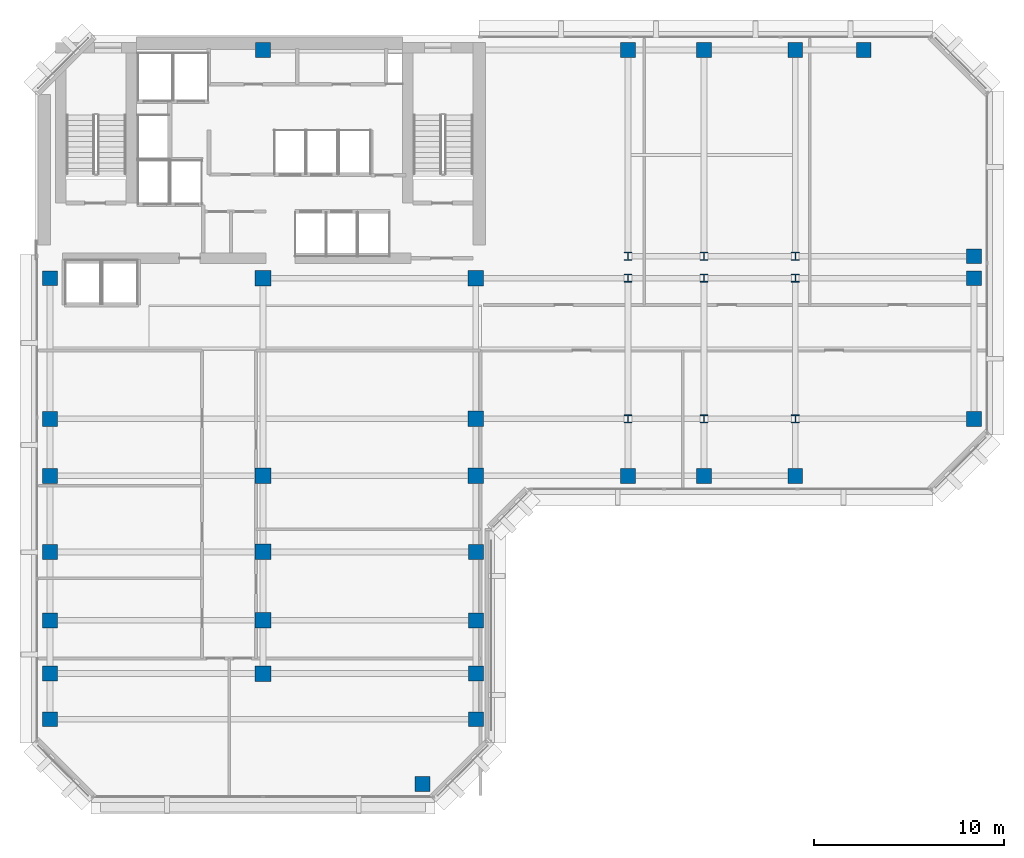
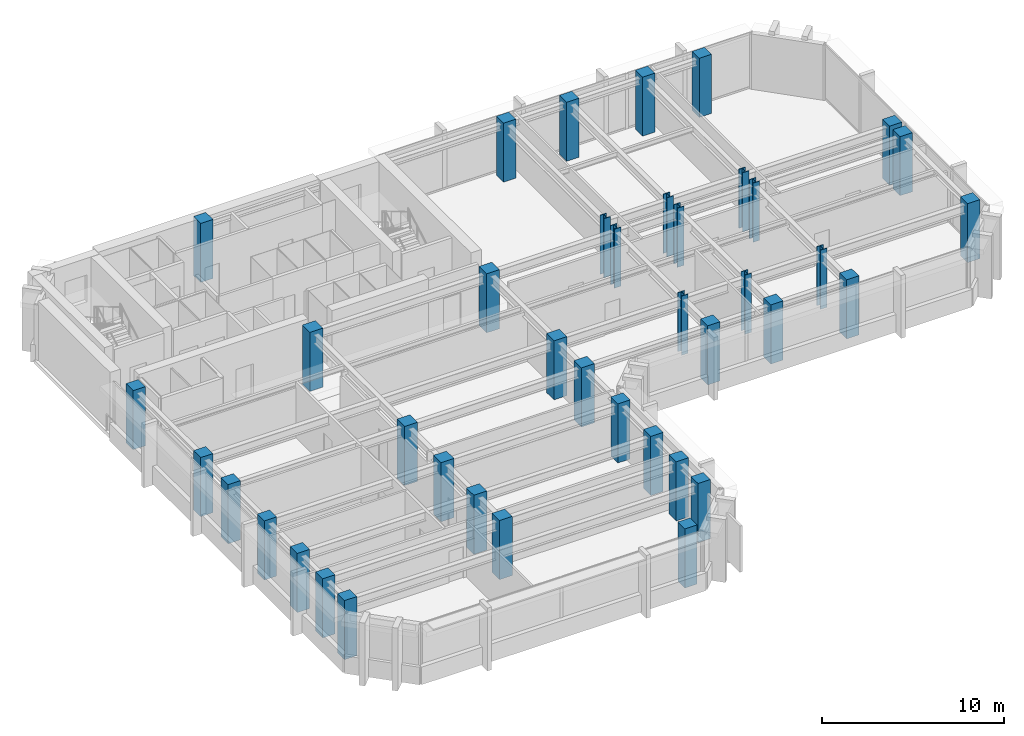
# One storey, part 1 of 12: 40 columns.
"""IFC4 building model written with IfcOpenShell, lengths in metres."""

import ifcopenshell
import ifcopenshell.guid

model = None  # the IFC model being written
_history = None  # IfcOwnerHistory: only IFC2X3 demands one
_inside = {}  # id of a spatial element -> (the spatial element, [elements in it])
_under = {}  # id of a project, library or spatial element -> (it, [spatial elements below it])
_declared = {}  # id of a project -> (the project, [libraries it declares])
_typed = {}  # id of a type object -> (the type object, [elements of that type])
_made_of = {}  # id of a material, layer set ... -> (it, [elements and type objects made of it])


def new_model(schema):
    """Start an empty IFC model of exactly this schema.

    Asked for "IFC4X3", IfcOpenShell would pick the latest addendum, in which some entities
    have other attributes; the version numbers below select the first issue.
    IFC2X3 requires an IfcOwnerHistory on every rooted entity: one is made here for all.
    """
    global model, _history
    if schema == "IFC4X3":
        model = ifcopenshell.file(schema_version=(4, 3, 0, 0))
    else:
        model = ifcopenshell.file(schema=schema)
    _inside.clear()
    _under.clear()
    _declared.clear()
    _typed.clear()
    _made_of.clear()
    _history = None
    if model.schema == "IFC2X3":
        org = make("IfcOrganization", Name="unknown")
        user = make(
            "IfcPersonAndOrganization",
            ThePerson=make("IfcPerson", FamilyName="unknown"),
            TheOrganization=org,
        )
        app = make(
            "IfcApplication",
            ApplicationDeveloper=org,
            Version="unknown",
            ApplicationFullName="unknown",
            ApplicationIdentifier="unknown",
        )
        _history = make(
            "IfcOwnerHistory",
            OwningUser=user,
            OwningApplication=app,
            ChangeAction="ADDED",
            CreationDate=0,
        )
    return model


def make(cls, **values):
    """One entity of the class cls with the attributes given. An attribute that is None is left unset."""
    return model.create_entity(
        cls, **{name: value for name, value in values.items() if value is not None}
    )


def rooted(cls, **values):
    """An entity with a GlobalId (a new one), such as an element, a storey or a relation."""
    return make(cls, GlobalId=ifcopenshell.guid.new(), OwnerHistory=_history, **values)


def si_unit(unit_type, name, prefix=None):
    """IfcSIUnit, for example si_unit("LENGTHUNIT", "METRE", prefix="MILLI")."""
    return make("IfcSIUnit", UnitType=unit_type, Prefix=prefix, Name=name)


def assignment(units):
    """IfcUnitAssignment: the units of a project."""
    return None if units is None else make("IfcUnitAssignment", Units=units)


def point(xyz):
    """IfcCartesianPoint."""
    return None if xyz is None else make("IfcCartesianPoint", Coordinates=xyz)


def direction(xyz):
    """IfcDirection."""
    return None if xyz is None else make("IfcDirection", DirectionRatios=xyz)


def frame(location, z_axis=None, x_axis=None):
    """IfcAxis2Placement3D, a coordinate frame: its origin and axes. An axis left out is left unset."""
    return make(
        "IfcAxis2Placement3D",
        Location=point(location),
        Axis=direction(z_axis),
        RefDirection=direction(x_axis),
    )


def frame_2d(location, x_axis=None):
    """IfcAxis2Placement2D, a coordinate frame in the plane: its origin and x axis."""
    return make(
        "IfcAxis2Placement2D", Location=point(location), RefDirection=direction(x_axis)
    )


def origin():
    """The frame at (0, 0, 0) with its axes left unset."""
    return frame((0.0, 0.0, 0.0))


def origin_2d():
    """The frame at (0, 0) in the plane with its x axis left unset."""
    return frame_2d((0.0, 0.0))


def place(relative_to, where):
    """IfcLocalPlacement: puts the frame where relative to a parent placement (None: the world)."""
    return make(
        "IfcLocalPlacement", PlacementRelTo=relative_to, RelativePlacement=where
    )


def context(
    kind, dimensions, precision=None, world=None, true_north=None, identifier=None
):
    """IfcGeometricRepresentationContext, for example the 3D "Model" context."""
    return make(
        "IfcGeometricRepresentationContext",
        ContextIdentifier=identifier,
        ContextType=kind,
        CoordinateSpaceDimension=dimensions,
        Precision=precision,
        WorldCoordinateSystem=world,
        TrueNorth=true_north,
    )


def subcontext(parent, identifier, kind, view, scale=None):
    """IfcGeometricRepresentationSubContext, for example "Body" below "Model"."""
    return make(
        "IfcGeometricRepresentationSubContext",
        ContextIdentifier=identifier,
        ContextType=kind,
        ParentContext=parent,
        TargetScale=scale,
        TargetView=view,
    )


def project(units=None, contexts=None):
    """IfcProject with its units and contexts."""
    return rooted(
        "IfcProject",
        Name="project",
        RepresentationContexts=contexts,
        UnitsInContext=assignment(units),
    )


def spatial(cls, under=None, at=None, **own):
    """A site, building, storey or space (cls), placed at a placement, below another one or the project."""
    s = rooted(cls, ObjectPlacement=at, **own)
    if under is not None:
        _under.setdefault(under.id(), (under, []))[1].append(s)
    return s


def profile(cls, at=None, kind="AREA", **sizes):
    """A parametric profile (cls). Its sizes go by their IFC names, for example OverallWidth=200.0."""
    return make(cls, ProfileType=kind, Position=at, **sizes)


def rectangle(**sizes):
    """IfcRectangleProfileDef."""
    return profile("IfcRectangleProfileDef", **sizes)


def i_section(**sizes):
    """IfcIShapeProfileDef."""
    return profile("IfcIShapeProfileDef", **sizes)


def extrude(swept, where, along, depth):
    """IfcExtrudedAreaSolid: the profile swept, set in the frame where, extruded along a direction by depth."""
    return make(
        "IfcExtrudedAreaSolid",
        SweptArea=swept,
        Position=where,
        ExtrudedDirection=direction(along),
        Depth=depth,
    )


def shape(context_of_items, identifier, shape_type, items):
    """IfcShapeRepresentation: the items that make up one representation, for example the "Body"."""
    return make(
        "IfcShapeRepresentation",
        ContextOfItems=context_of_items,
        RepresentationIdentifier=identifier,
        RepresentationType=shape_type,
        Items=items,
    )


def material(Name=None, Category=None):
    """IfcMaterial."""
    return make("IfcMaterial", Name=Name, Category=Category)


def material_profile(
    of_material, cross_section, Name=None, Category=None, Priority=None
):
    """IfcMaterialProfile: a cross section and its material."""
    return make(
        "IfcMaterialProfile",
        Name=Name,
        Material=of_material,
        Profile=cross_section,
        Priority=Priority,
        Category=Category,
    )


def profile_set(profiles, Name=None, composite=None):
    """IfcMaterialProfileSet."""
    return make(
        "IfcMaterialProfileSet",
        Name=Name,
        MaterialProfiles=profiles,
        CompositeProfile=composite,
    )


def made_of(thing, what):
    """Note that an element or type object is made of a material, layer set ...; save() writes the relation."""
    if what is not None:
        _made_of.setdefault(what.id(), (what, []))[1].append(thing)
    return thing


def type_object(cls, material=None, **own):
    """A type object (cls), such as IfcWallType, which elements share."""
    return made_of(rooted(cls, **own), material)


def element(
    cls,
    number,
    at=None,
    inside=None,
    cuts=None,
    type_object=None,
    material=None,
    context=None,
    identifier="Body",
    shape_type=None,
    held_by="IfcProductDefinitionShape",
    body=None,
    shapes=None,
    **own,
):
    """One element of the class cls, such as IfcWall. Its Tag is "e" and its number.

    at: its placement. inside: the storey or other place that contains it. cuts: it is an
    opening in that element (IfcRelVoidsElement). A single representation is given by context,
    identifier, shape_type and body (its items); several are given by shapes. held_by: the class
    of the entity that holds the representations. save() writes the other relations.
    """
    e = rooted(cls, Tag="e%d" % number, ObjectPlacement=at, **own)
    if body is not None:
        shapes = [shape(context, identifier, shape_type, body)]
    if shapes is not None:
        e.Representation = make(held_by, Representations=shapes)
    if inside is not None:
        _inside.setdefault(inside.id(), (inside, []))[1].append(e)
    if cuts is not None:
        rooted(
            "IfcRelVoidsElement", RelatingBuildingElement=cuts, RelatedOpeningElement=e
        )
    if type_object is not None:
        _typed.setdefault(type_object.id(), (type_object, []))[1].append(e)
    return made_of(e, material)


def aggregate(whole, parts):
    """IfcRelAggregates: a whole, such as a stair, and the parts it consists of."""
    return rooted("IfcRelAggregates", RelatingObject=whole, RelatedObjects=parts)


def save(model, path):
    """Write the relations noted so far, then the file.

    IfcRelAggregates (storeys below a building ...), IfcRelContainedInSpatialStructure (elements
    in a storey), IfcRelDefinesByType, IfcRelAssociatesMaterial and IfcRelDeclares: one each for
    every whole, place, type object, material and project.
    """
    for whole, parts in _under.values():
        aggregate(whole, parts)
    for where, things in _inside.values():
        rooted(
            "IfcRelContainedInSpatialStructure",
            RelatedElements=things,
            RelatingStructure=where,
        )
    for kind, things in _typed.values():
        rooted("IfcRelDefinesByType", RelatedObjects=things, RelatingType=kind)
    for what, things in _made_of.values():
        rooted("IfcRelAssociatesMaterial", RelatedObjects=things, RelatingMaterial=what)
    for by, libraries in _declared.values():
        rooted("IfcRelDeclares", RelatingContext=by, RelatedDefinitions=libraries)
    model.write(path)


model = new_model("IFC4")

# Units and contexts
model_context = context("Model", 3, precision=1e-05, world=origin(), true_north=direction((0.0, 1.0)))
body_context = subcontext(model_context, "Body", "Model", "MODEL_VIEW")
ifc_project = project(units=[si_unit("LENGTHUNIT", "METRE"), si_unit("AREAUNIT", "SQUARE_METRE"), si_unit("VOLUMEUNIT", "CUBIC_METRE"), si_unit("PLANEANGLEUNIT", "RADIAN"), si_unit("MASSUNIT", "GRAM", prefix="KILO")], contexts=[model_context])

# Site, building, storey
site_placement = place(None, origin())
site = spatial("IfcSite", under=ifc_project, at=site_placement, CompositionType="ELEMENT")
building_placement = place(site_placement, origin())
building = spatial("IfcBuilding", under=site, at=building_placement, Name="Kefirva Bronze Tower", CompositionType="ELEMENT")
storey_placement = place(building_placement, frame((0.0, 0.0, 207.239990234375)))
storey = spatial("IfcBuildingStorey", under=building, at=storey_placement, Name="L50", CompositionType="ELEMENT", Elevation=207.239990234375)

# Columns
ifc_material_1 = material(Name="Concrete C50/60", Category="concrete")
ifc_material_profile_1 = material_profile(ifc_material_1, rectangle(XDim=0.780029296875, YDim=0.780029296875, at=origin_2d()), Name="RC 780x780")
ifc_profile_set_1 = profile_set([ifc_material_profile_1], Name="Concrete C50/60")
column_type_1 = type_object("IfcColumnType", Name="RC Column 780x780 Ext", PredefinedType="COLUMN", material=ifc_profile_set_1)
for number, where, z_axis, x_axis, name in (
    (1, (0.800048828125, 10.0, 0.0), (0.0, 0.0, 1.0), (1.0, 0.0, 0.0), "L50 Column C008_100"),
    (2, (0.800048828125, 12.39990234375, 0.0), (0.0, 0.0, 1.0), (1.0, 0.0, 0.0), "L50 Column C008_124"),
    (3, (0.800048828125, 15.199951171875, 0.0), (0.0, 0.0, 1.0), (1.0, 0.0, 0.0), "L50 Column C008_152"),
    (4, (0.800048828125, 18.800048828125, 0.0), (0.0, 0.0, 1.0), (1.0, 0.0, 0.0), "L50 Column C008_188"),
    (5, (0.800048828125, 22.800048828125, 0.0), (0.0, 0.0, 1.0), (1.0, 0.0, 0.0), "L50 Column C008_228"),
    (6, (0.800048828125, 25.800048828125, 0.0), (0.0, 0.0, 1.0), (1.0, 0.0, 0.0), "L50 Column C008_258"),
    (7, (0.800048828125, 33.199951171875, 0.0), (0.0, 0.0, 1.0), (1.0, 0.0, 0.0), "L50 Column C008_332"),
    (8, (12.0, 45.199951171875, 0.0), (0.0, 0.0, 1.0), (1.0, 0.0, 0.0), "L50 Column C120_452"),
    (9, (20.39990234375, 6.60009765625, 0.0), (0.0, 0.0, 1.0), (1.0, 0.0, 0.0), "L50 Column C204_066"),
    (10, (23.199951171875, 10.0, 0.0), (0.0, 0.0, 1.0), (1.0, 0.0, 0.0), "L50 Column C232_100"),
    (11, (23.199951171875, 12.39990234375, 0.0), (0.0, 0.0, 1.0), (1.0, 0.0, 0.0), "L50 Column C232_124"),
    (12, (23.199951171875, 15.199951171875, 0.0), (0.0, 0.0, 1.0), (1.0, 0.0, 0.0), "L50 Column C232_152"),
    (13, (23.199951171875, 18.800048828125, 0.0), (0.0, 0.0, 1.0), (1.0, 0.0, 0.0), "L50 Column C232_188"),
    (14, (31.199951171875, 22.800048828125, 0.0), (0.0, 0.0, 1.0), (1.0, 0.0, 0.0), "L50 Column C312_228"),
    (15, (31.199951171875, 45.199951171875, 0.0), (0.0, 0.0, 1.0), (1.0, 0.0, 0.0), "L50 Column C312_452"),
    (16, (35.199951171875, 22.800048828125, 0.0), (0.0, 0.0, 1.0), (1.0, 0.0, 0.0), "L50 Column C352_228"),
    (17, (35.199951171875, 45.199951171875, 0.0), (0.0, 0.0, 1.0), (1.0, 0.0, 0.0), "L50 Column C352_452"),
    (18, (40.0, 22.800048828125, 0.0), (0.0, 0.0, 1.0), (1.0, 0.0, 0.0), "L50 Column C400_228"),
    (19, (40.0, 45.199951171875, 0.0), (0.0, 0.0, 1.0), (1.0, 0.0, 0.0), "L50 Column C400_452"),
    (20, (43.60009765625, 45.199951171875, 0.0), (0.0, 0.0, 1.0), (1.0, 0.0, 0.0), "L50 Column C436_452"),
    (21, (49.39990234375, 25.800048828125, 0.0), (0.0, 0.0, 1.0), (1.0, 0.0, 0.0), "L50 Column C494_258"),
    (22, (49.39990234375, 33.199951171875, 0.0), (0.0, 0.0, 1.0), (1.0, 0.0, 0.0), "L50 Column C494_332"),
    (23, (49.39990234375, 34.35009765625, 0.0), (0.0, 0.0, 1.0), (1.0, 0.0, 0.0), "L50 Column C494_344"),
):
    element("IfcColumn", number, at=place(storey_placement, frame(where, z_axis=z_axis, x_axis=x_axis)), inside=storey, type_object=column_type_1, Name=name, PredefinedType="COLUMN", context=body_context, shape_type="SweptSolid", body=[
        extrude(rectangle(XDim=0.780029296875, YDim=0.780029296875, at=origin_2d()), origin(), (0.0, 0.0, 1.0), 3.9599609375),
    ])
ifc_material_profile_2 = material_profile(ifc_material_1, rectangle(XDim=0.820068359375, YDim=0.820068359375, at=origin_2d()), Name="RC 820x820")
ifc_profile_set_2 = profile_set([ifc_material_profile_2], Name="Concrete C50/60")
column_type_2 = type_object("IfcColumnType", Name="RC Column 820x820 Int", PredefinedType="COLUMN", material=ifc_profile_set_2)
for number, where, z_axis, x_axis, name in (
    (24, (12.0, 12.39990234375, 0.0), (0.0, 0.0, 1.0), (1.0, 0.0, 0.0), "L50 Column C120_124"),
    (25, (12.0, 15.199951171875, 0.0), (0.0, 0.0, 1.0), (1.0, 0.0, 0.0), "L50 Column C120_152"),
    (26, (12.0, 18.800048828125, 0.0), (0.0, 0.0, 1.0), (1.0, 0.0, 0.0), "L50 Column C120_188"),
    (27, (12.0, 22.800048828125, 0.0), (0.0, 0.0, 1.0), (1.0, 0.0, 0.0), "L50 Column C120_228"),
    (28, (12.0, 33.199951171875, 0.0), (0.0, 0.0, 1.0), (1.0, 0.0, 0.0), "L50 Column C120_332"),
    (29, (23.199951171875, 22.800048828125, 0.0), (0.0, 0.0, 1.0), (1.0, 0.0, 0.0), "L50 Column C232_228"),
    (30, (23.199951171875, 25.800048828125, 0.0), (0.0, 0.0, 1.0), (1.0, 0.0, 0.0), "L50 Column C232_258"),
    (31, (23.199951171875, 33.199951171875, 0.0), (0.0, 0.0, 1.0), (1.0, 0.0, 0.0), "L50 Column C232_332"),
):
    element("IfcColumn", number, at=place(storey_placement, frame(where, z_axis=z_axis, x_axis=x_axis)), inside=storey, type_object=column_type_2, Name=name, PredefinedType="COLUMN", context=body_context, shape_type="SweptSolid", body=[
        extrude(rectangle(XDim=0.820068359375, YDim=0.820068359375, at=origin_2d()), origin(), (0.0, 0.0, 1.0), 3.9599609375),
    ])
ifc_material_2 = material(Name="Steel S460", Category="steel")
ifc_material_profile_3 = material_profile(ifc_material_2, i_section(OverallWidth=0.412109375, OverallDepth=0.43505859375, WebThickness=0.027099609375, FlangeThickness=0.04296875, at=origin_2d()), Name="HD 400x463")
ifc_profile_set_3 = profile_set([ifc_material_profile_3], Name="Steel S460")
column_type_3 = type_object("IfcColumnType", Name="Steel Column HD 400x463", PredefinedType="COLUMN", material=ifc_profile_set_3)
for number, where, z_axis, x_axis, name in (
    (32, (31.199951171875, 25.800048828125, 0.0), (0.0, 0.0, 1.0), (1.0, 0.0, 0.0), "L50 Column C312_258"),
    (33, (31.199951171875, 33.199951171875, 0.0), (0.0, 0.0, 1.0), (1.0, 0.0, 0.0), "L50 Column C312_332"),
    (34, (31.199951171875, 34.35009765625, 0.0), (0.0, 0.0, 1.0), (1.0, 0.0, 0.0), "L50 Column C312_344"),
    (35, (35.199951171875, 25.800048828125, 0.0), (0.0, 0.0, 1.0), (1.0, 0.0, 0.0), "L50 Column C352_258"),
    (36, (35.199951171875, 33.199951171875, 0.0), (0.0, 0.0, 1.0), (1.0, 0.0, 0.0), "L50 Column C352_332"),
    (37, (35.199951171875, 34.35009765625, 0.0), (0.0, 0.0, 1.0), (1.0, 0.0, 0.0), "L50 Column C352_344"),
    (38, (40.0, 25.800048828125, 0.0), (0.0, 0.0, 1.0), (1.0, 0.0, 0.0), "L50 Column C400_258"),
    (39, (40.0, 33.199951171875, 0.0), (0.0, 0.0, 1.0), (1.0, 0.0, 0.0), "L50 Column C400_332"),
    (40, (40.0, 34.35009765625, 0.0), (0.0, 0.0, 1.0), (1.0, 0.0, 0.0), "L50 Column C400_344"),
):
    element("IfcColumn", number, at=place(storey_placement, frame(where, z_axis=z_axis, x_axis=x_axis)), inside=storey, type_object=column_type_3, Name=name, PredefinedType="COLUMN", context=body_context, shape_type="SweptSolid", body=[
        extrude(i_section(OverallWidth=0.412109375, OverallDepth=0.43505859375, WebThickness=0.027099609375, FlangeThickness=0.04296875, at=origin_2d()), origin(), (0.0, 0.0, 1.0), 3.9599609375),
    ])

save(model, "model.ifc")
